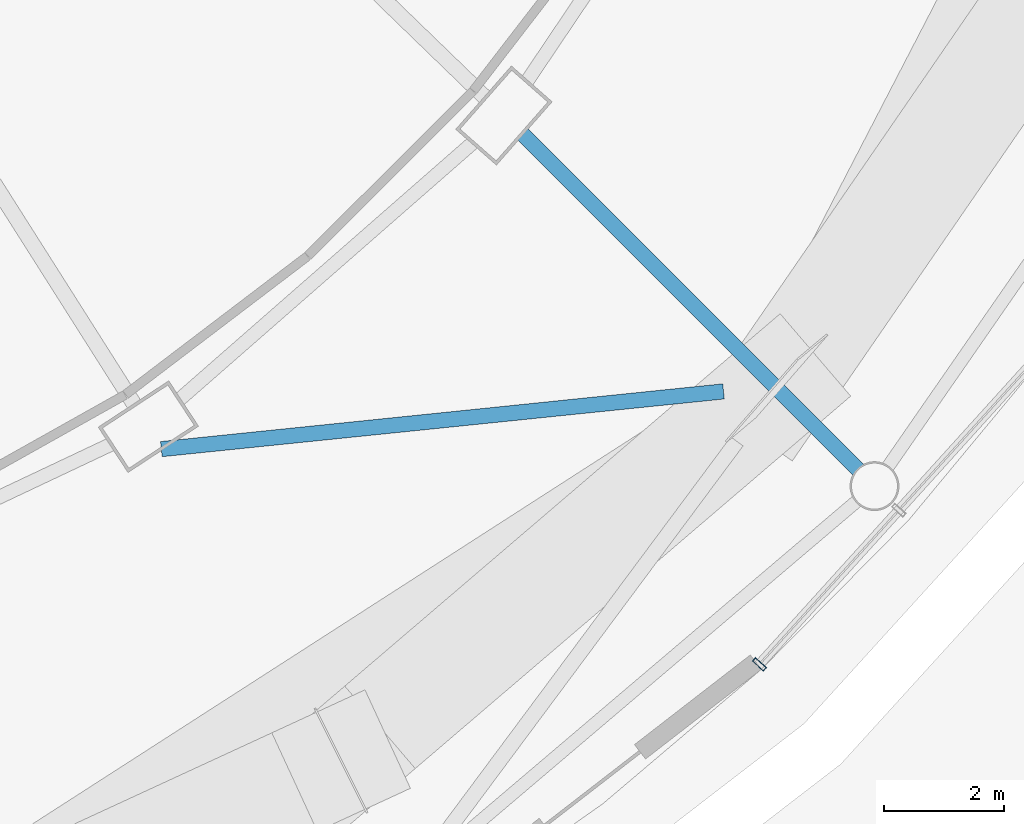
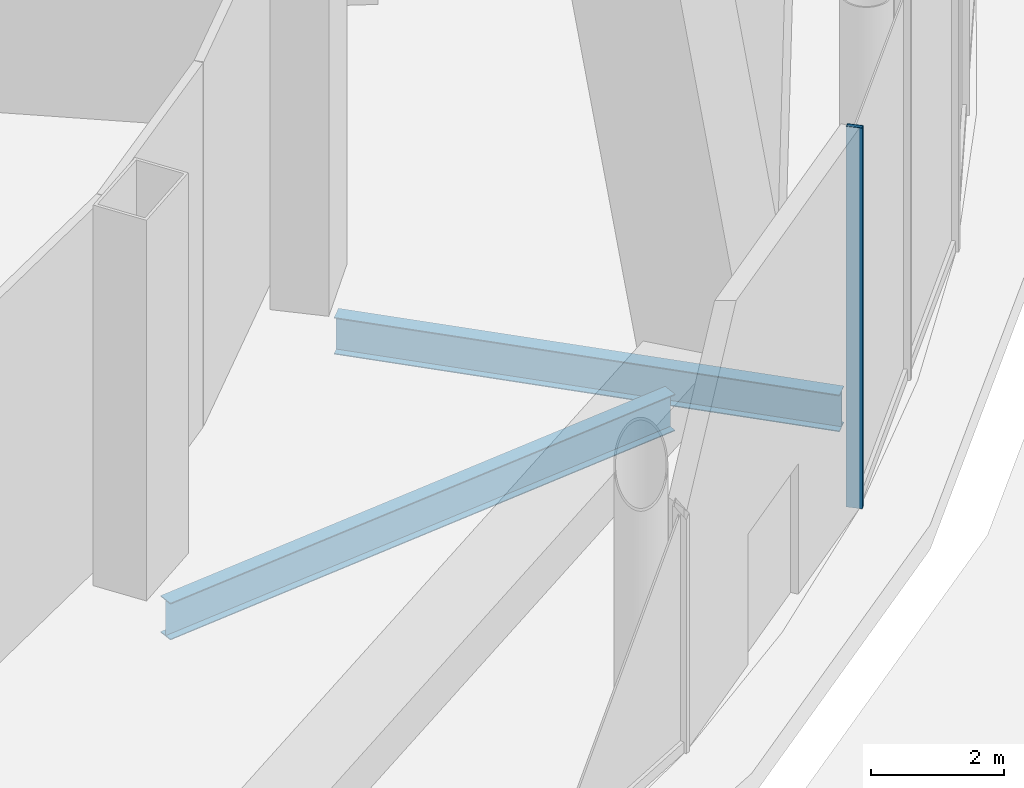
# One storey, part 20 of 67: 2 beams, 1 member, 1 element without a shape of its own.
"""IFC4 building model written with IfcOpenShell, lengths in metres."""

import ifcopenshell
import ifcopenshell.guid

model = None  # the IFC model being written
_history = None  # IfcOwnerHistory: only IFC2X3 demands one
_inside = {}  # id of a spatial element -> (the spatial element, [elements in it])
_under = {}  # id of a project, library or spatial element -> (it, [spatial elements below it])
_declared = {}  # id of a project -> (the project, [libraries it declares])
_typed = {}  # id of a type object -> (the type object, [elements of that type])
_made_of = {}  # id of a material, layer set ... -> (it, [elements and type objects made of it])


def new_model(schema):
    """Start an empty IFC model of exactly this schema.

    Asked for "IFC4X3", IfcOpenShell would pick the latest addendum, in which some entities
    have other attributes; the version numbers below select the first issue.
    IFC2X3 requires an IfcOwnerHistory on every rooted entity: one is made here for all.
    """
    global model, _history
    if schema == "IFC4X3":
        model = ifcopenshell.file(schema_version=(4, 3, 0, 0))
    else:
        model = ifcopenshell.file(schema=schema)
    _inside.clear()
    _under.clear()
    _declared.clear()
    _typed.clear()
    _made_of.clear()
    _history = None
    if model.schema == "IFC2X3":
        org = make("IfcOrganization", Name="unknown")
        user = make(
            "IfcPersonAndOrganization",
            ThePerson=make("IfcPerson", FamilyName="unknown"),
            TheOrganization=org,
        )
        app = make(
            "IfcApplication",
            ApplicationDeveloper=org,
            Version="unknown",
            ApplicationFullName="unknown",
            ApplicationIdentifier="unknown",
        )
        _history = make(
            "IfcOwnerHistory",
            OwningUser=user,
            OwningApplication=app,
            ChangeAction="ADDED",
            CreationDate=0,
        )
    return model


def make(cls, **values):
    """One entity of the class cls with the attributes given. An attribute that is None is left unset."""
    return model.create_entity(
        cls, **{name: value for name, value in values.items() if value is not None}
    )


def rooted(cls, **values):
    """An entity with a GlobalId (a new one), such as an element, a storey or a relation."""
    return make(cls, GlobalId=ifcopenshell.guid.new(), OwnerHistory=_history, **values)


def si_unit(unit_type, name, prefix=None):
    """IfcSIUnit, for example si_unit("LENGTHUNIT", "METRE", prefix="MILLI")."""
    return make("IfcSIUnit", UnitType=unit_type, Prefix=prefix, Name=name)


def assignment(units):
    """IfcUnitAssignment: the units of a project."""
    return None if units is None else make("IfcUnitAssignment", Units=units)


def point(xyz):
    """IfcCartesianPoint."""
    return None if xyz is None else make("IfcCartesianPoint", Coordinates=xyz)


def direction(xyz):
    """IfcDirection."""
    return None if xyz is None else make("IfcDirection", DirectionRatios=xyz)


def frame(location, z_axis=None, x_axis=None):
    """IfcAxis2Placement3D, a coordinate frame: its origin and axes. An axis left out is left unset."""
    return make(
        "IfcAxis2Placement3D",
        Location=point(location),
        Axis=direction(z_axis),
        RefDirection=direction(x_axis),
    )


def frame_2d(location, x_axis=None):
    """IfcAxis2Placement2D, a coordinate frame in the plane: its origin and x axis."""
    return make(
        "IfcAxis2Placement2D", Location=point(location), RefDirection=direction(x_axis)
    )


def origin():
    """The frame at (0, 0, 0) with its axes left unset."""
    return frame((0.0, 0.0, 0.0))


def origin_2d():
    """The frame at (0, 0) in the plane with its x axis left unset."""
    return frame_2d((0.0, 0.0))


def place(relative_to, where):
    """IfcLocalPlacement: puts the frame where relative to a parent placement (None: the world)."""
    return make(
        "IfcLocalPlacement", PlacementRelTo=relative_to, RelativePlacement=where
    )


def context(
    kind, dimensions, precision=None, world=None, true_north=None, identifier=None
):
    """IfcGeometricRepresentationContext, for example the 3D "Model" context."""
    return make(
        "IfcGeometricRepresentationContext",
        ContextIdentifier=identifier,
        ContextType=kind,
        CoordinateSpaceDimension=dimensions,
        Precision=precision,
        WorldCoordinateSystem=world,
        TrueNorth=true_north,
    )


def subcontext(parent, identifier, kind, view, scale=None):
    """IfcGeometricRepresentationSubContext, for example "Body" below "Model"."""
    return make(
        "IfcGeometricRepresentationSubContext",
        ContextIdentifier=identifier,
        ContextType=kind,
        ParentContext=parent,
        TargetScale=scale,
        TargetView=view,
    )


def project(units=None, contexts=None):
    """IfcProject with its units and contexts."""
    return rooted(
        "IfcProject",
        Name="project",
        RepresentationContexts=contexts,
        UnitsInContext=assignment(units),
    )


def spatial(cls, under=None, at=None, **own):
    """A site, building, storey or space (cls), placed at a placement, below another one or the project."""
    s = rooted(cls, ObjectPlacement=at, **own)
    if under is not None:
        _under.setdefault(under.id(), (under, []))[1].append(s)
    return s


def profile(cls, at=None, kind="AREA", **sizes):
    """A parametric profile (cls). Its sizes go by their IFC names, for example OverallWidth=200.0."""
    return make(cls, ProfileType=kind, Position=at, **sizes)


def hollow_rectangle(**sizes):
    """IfcRectangleHollowProfileDef."""
    return profile("IfcRectangleHollowProfileDef", **sizes)


def i_section(**sizes):
    """IfcIShapeProfileDef."""
    return profile("IfcIShapeProfileDef", **sizes)


def extrude(swept, where, along, depth):
    """IfcExtrudedAreaSolid: the profile swept, set in the frame where, extruded along a direction by depth."""
    return make(
        "IfcExtrudedAreaSolid",
        SweptArea=swept,
        Position=where,
        ExtrudedDirection=direction(along),
        Depth=depth,
    )


def shape(context_of_items, identifier, shape_type, items):
    """IfcShapeRepresentation: the items that make up one representation, for example the "Body"."""
    return make(
        "IfcShapeRepresentation",
        ContextOfItems=context_of_items,
        RepresentationIdentifier=identifier,
        RepresentationType=shape_type,
        Items=items,
    )


def material(Name=None, Category=None):
    """IfcMaterial."""
    return make("IfcMaterial", Name=Name, Category=Category)


def layer(
    of_material, thickness, ventilated=None, Name=None, Category=None, Priority=None
):
    """IfcMaterialLayer: one layer of a wall or slab, of a material (None: an air gap)."""
    return make(
        "IfcMaterialLayer",
        Material=of_material,
        LayerThickness=thickness,
        IsVentilated=ventilated,
        Name=Name,
        Category=Category,
        Priority=Priority,
    )


def layer_set(layers, Name=None):
    """IfcMaterialLayerSet."""
    return make("IfcMaterialLayerSet", MaterialLayers=layers, LayerSetName=Name)


def material_profile(
    of_material, cross_section, Name=None, Category=None, Priority=None
):
    """IfcMaterialProfile: a cross section and its material."""
    return make(
        "IfcMaterialProfile",
        Name=Name,
        Material=of_material,
        Profile=cross_section,
        Priority=Priority,
        Category=Category,
    )


def profile_set(profiles, Name=None, composite=None):
    """IfcMaterialProfileSet."""
    return make(
        "IfcMaterialProfileSet",
        Name=Name,
        MaterialProfiles=profiles,
        CompositeProfile=composite,
    )


def made_of(thing, what):
    """Note that an element or type object is made of a material, layer set ...; save() writes the relation."""
    if what is not None:
        _made_of.setdefault(what.id(), (what, []))[1].append(thing)
    return thing


def type_object(cls, material=None, **own):
    """A type object (cls), such as IfcWallType, which elements share."""
    return made_of(rooted(cls, **own), material)


def element(
    cls,
    number,
    at=None,
    inside=None,
    cuts=None,
    type_object=None,
    material=None,
    context=None,
    identifier="Body",
    shape_type=None,
    held_by="IfcProductDefinitionShape",
    body=None,
    shapes=None,
    **own,
):
    """One element of the class cls, such as IfcWall. Its Tag is "e" and its number.

    at: its placement. inside: the storey or other place that contains it. cuts: it is an
    opening in that element (IfcRelVoidsElement). A single representation is given by context,
    identifier, shape_type and body (its items); several are given by shapes. held_by: the class
    of the entity that holds the representations. save() writes the other relations.
    """
    e = rooted(cls, Tag="e%d" % number, ObjectPlacement=at, **own)
    if body is not None:
        shapes = [shape(context, identifier, shape_type, body)]
    if shapes is not None:
        e.Representation = make(held_by, Representations=shapes)
    if inside is not None:
        _inside.setdefault(inside.id(), (inside, []))[1].append(e)
    if cuts is not None:
        rooted(
            "IfcRelVoidsElement", RelatingBuildingElement=cuts, RelatedOpeningElement=e
        )
    if type_object is not None:
        _typed.setdefault(type_object.id(), (type_object, []))[1].append(e)
    return made_of(e, material)


def aggregate(whole, parts):
    """IfcRelAggregates: a whole, such as a stair, and the parts it consists of."""
    return rooted("IfcRelAggregates", RelatingObject=whole, RelatedObjects=parts)


def save(model, path):
    """Write the relations noted so far, then the file.

    IfcRelAggregates (storeys below a building ...), IfcRelContainedInSpatialStructure (elements
    in a storey), IfcRelDefinesByType, IfcRelAssociatesMaterial and IfcRelDeclares: one each for
    every whole, place, type object, material and project.
    """
    for whole, parts in _under.values():
        aggregate(whole, parts)
    for where, things in _inside.values():
        rooted(
            "IfcRelContainedInSpatialStructure",
            RelatedElements=things,
            RelatingStructure=where,
        )
    for kind, things in _typed.values():
        rooted("IfcRelDefinesByType", RelatedObjects=things, RelatingType=kind)
    for what, things in _made_of.values():
        rooted("IfcRelAssociatesMaterial", RelatedObjects=things, RelatingMaterial=what)
    for by, libraries in _declared.values():
        rooted("IfcRelDeclares", RelatingContext=by, RelatedDefinitions=libraries)
    model.write(path)


model = new_model("IFC4")

# Units and contexts
model_context = context("Model", 3, precision=1e-05, world=origin(), true_north=direction((0.0, 1.0)))
body_context = subcontext(model_context, "Body", "Model", "MODEL_VIEW")
ifc_project = project(units=[si_unit("LENGTHUNIT", "METRE"), si_unit("AREAUNIT", "SQUARE_METRE"), si_unit("VOLUMEUNIT", "CUBIC_METRE"), si_unit("PLANEANGLEUNIT", "RADIAN"), si_unit("MASSUNIT", "GRAM", prefix="KILO")], contexts=[model_context])

# Site, building, storey
site_placement = place(None, origin())
site = spatial("IfcSite", under=ifc_project, at=site_placement, CompositionType="ELEMENT")
building_placement = place(site_placement, origin())
building = spatial("IfcBuilding", under=site, at=building_placement, Name="Nagisa Residences", CompositionType="ELEMENT")
storey_placement = place(building_placement, origin())
storey = spatial("IfcBuildingStorey", under=building, at=storey_placement, Name="L00", CompositionType="ELEMENT", Elevation=0.0)

# Beams
ifc_material_1 = material(Name="Steel ASTM A572 Gr 50", Category="steel")
ifc_material_profile_1 = material_profile(ifc_material_1, i_section(OverallWidth=0.2529296875, OverallDepth=0.677978515625, WebThickness=0.01171875, FlangeThickness=0.016357421875, at=origin_2d()), Name="W690x125")
ifc_profile_set_1 = profile_set([ifc_material_profile_1], Name="Steel ASTM A572 Gr 50")
beam_type = type_object("IfcBeamType", Name="Atrium outer beam W690x125", PredefinedType="BEAM", material=ifc_profile_set_1)
beam_1_placement = place(storey_placement, frame((18.0654296875, -28.518798828125, -0.739013671875), z_axis=(0.994767206706, 0.102167531354, 0.0), x_axis=(-0.102167531354, 0.994767206706, 0.0)))
element("IfcBeam", 1, at=beam_1_placement, inside=storey, type_object=beam_type, Name="beam:L00:er21a", PredefinedType="BEAM", context=body_context, shape_type="SweptSolid", body=[
    extrude(i_section(OverallWidth=0.2529296875, OverallDepth=0.677978515625, WebThickness=0.01171875, FlangeThickness=0.016357421875, at=origin_2d()), origin(), (0.0, 0.0, 1.0), 9.381591796875),
])
beam_2_placement = place(storey_placement, frame((24.057373046875, -23.28564453125, -0.739013671875), z_axis=(0.707091295005, -0.707122267029, 0.0), x_axis=(0.707122267029, 0.707091295005, 0.0)))
element("IfcBeam", 2, at=beam_2_placement, inside=storey, type_object=beam_type, Name="beam:L00:er22", PredefinedType="BEAM", context=body_context, shape_type="SweptSolid", body=[
    extrude(i_section(OverallWidth=0.2529296875, OverallDepth=0.677978515625, WebThickness=0.01171875, FlangeThickness=0.016357421875, at=origin_2d()), origin(), (0.0, 0.0, 1.0), 7.882568359375),
])

# Curtain wall, member
ifc_material_2 = material(Name="Stainless steel curtain wall system", Category="steel")
ifc_layer = layer(ifc_material_2, 0.159912109375)
ifc_layer_set = layer_set([ifc_layer], Name="CW3 CURTAIN WALL")
curtain_wall_type = type_object("IfcCurtainWallType", Name="CW3 CURTAIN WALL", PredefinedType="NOTDEFINED", material=ifc_layer_set)
curtain_wall_placement = place(storey_placement, origin())
curtain_wall = element("IfcCurtainWall", 3, at=curtain_wall_placement, inside=storey, type_object=curtain_wall_type, Name="cw:CW3:L00:31", PredefinedType="NOTDEFINED")
ifc_material_3 = material(Name="Stainless steel", Category="steel")
ifc_material_profile_2 = material_profile(ifc_material_3, hollow_rectangle(XDim=0.25, YDim=0.080078125, WallThickness=0.008056640625, at=origin_2d()), Name="CW3 MULLION 250x80")
ifc_profile_set_2 = profile_set([ifc_material_profile_2], Name="Stainless steel")
member_type = type_object("IfcMemberType", Name="CW3 MULLION 250x80", PredefinedType="MULLION", material=ifc_profile_set_2)
member_placement = place(storey_placement, frame((27.993408203125, -32.090576171875, 0.0), z_axis=(0.0, 0.0, 1.0), x_axis=(-0.741535779122, 0.670913323971, 0.0)))
member = element("IfcMember", 4, at=member_placement, type_object=member_type, Name="CW3 mullion", PredefinedType="MULLION", context=body_context, shape_type="SweptSolid", body=[
    extrude(hollow_rectangle(XDim=0.25, YDim=0.080078125, WallThickness=0.008056640625, at=origin_2d()), origin(), (0.0, 0.0, 1.0), 7.0),
])
aggregate(curtain_wall, [member])

save(model, "model.ifc")
